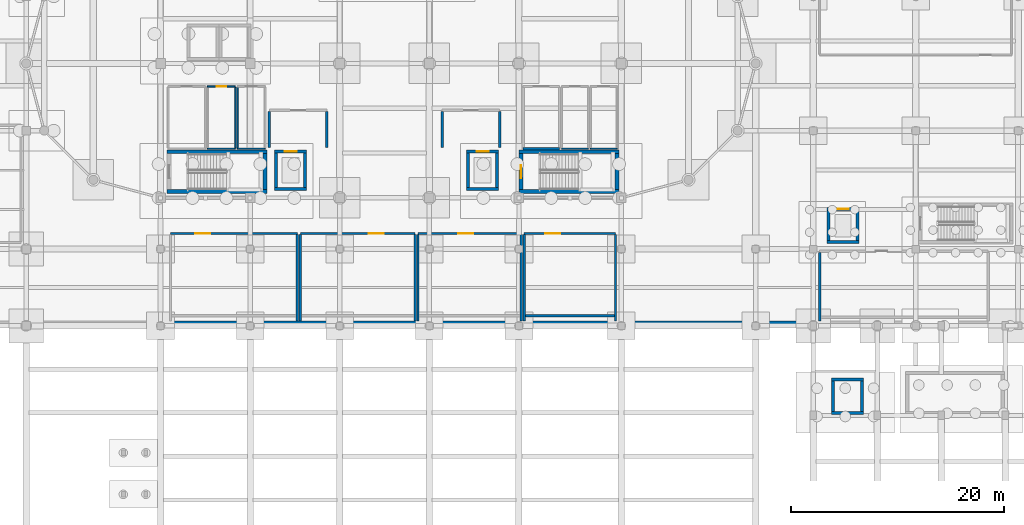
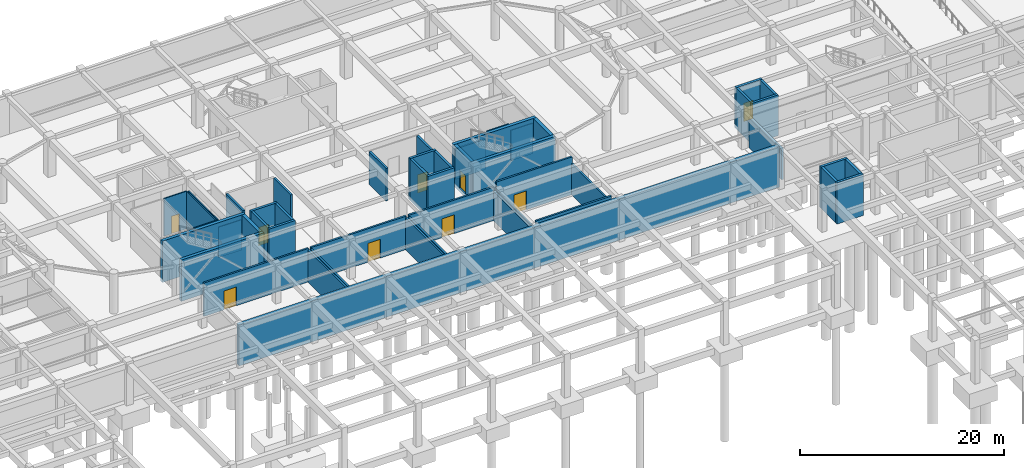
# One storey, part 23 of 37: 49 walls, 9 doors, 9 openings.
"""IFC4 building model written with IfcOpenShell, lengths in metres."""

from ifc_helpers import new_model, si_unit, direction, frame, frame_2d, origin, place, context, subcontext, project, spatial, rectangle, extrude, material, layer, layer_set, type_object, element, fill, save


model = new_model("IFC4")

# Units and contexts
model_context = context("Model", 3, precision=1e-05, world=origin(), true_north=direction((0.0, 1.0)))
body_context = subcontext(model_context, "Body", "Model", "MODEL_VIEW")
ifc_project = project(units=[si_unit("LENGTHUNIT", "METRE"), si_unit("AREAUNIT", "SQUARE_METRE"), si_unit("VOLUMEUNIT", "CUBIC_METRE"), si_unit("PLANEANGLEUNIT", "RADIAN"), si_unit("MASSUNIT", "GRAM", prefix="KILO")], contexts=[model_context])

# Site, building, storey
site_placement = place(None, origin())
site = spatial("IfcSite", under=ifc_project, at=site_placement, CompositionType="ELEMENT")
building_placement = place(site_placement, origin())
building = spatial("IfcBuilding", under=site, at=building_placement, Name="Tarnavel Promenade Courthouse", CompositionType="ELEMENT")
storey_placement = place(building_placement, frame((0.0, 0.0, -4.800048828125)))
storey = spatial("IfcBuildingStorey", under=building, at=storey_placement, Name="B01", CompositionType="ELEMENT", Elevation=-4.800048828125)

# Wall
ifc_material_1 = material(Name="Concrete C35/45", Category="concrete")
ifc_layer_1 = layer(ifc_material_1, 0.449951171875)
ifc_layer_set_1 = layer_set([ifc_layer_1], Name="Concrete C35/45")
wall_type_1 = type_object("IfcWallType", Name="Concrete C35/45 WL-RET-450 (450 mm)", PredefinedType="SOLIDWALL", material=ifc_layer_set_1)
wall_1_placement = place(storey_placement, frame((120.0, 67.449951171875, -0.419921875), z_axis=(0.0, 0.0, 1.0), x_axis=(-1.0, 0.0, 0.0)))
element("IfcWall", 1, at=wall_1_placement, inside=storey, type_object=wall_type_1, Name="B01 South Perimeter Retaining Wall 0004", PredefinedType="SOLIDWALL", context=body_context, shape_type="SweptSolid", body=[
    extrude(rectangle(XDim=61.199951171875, YDim=0.449951171875, at=frame_2d((30.60009765625, 0.0))), origin(), (0.0, 0.0, 1.0), 4.869873046875),
])

# Wall, opening, door
ifc_material_2 = material(Name="Concrete C40/50", Category="concrete")
ifc_layer_2 = layer(ifc_material_2, 0.280029296875)
ifc_layer_set_2 = layer_set([ifc_layer_2], Name="Concrete C40/50")
wall_type_2 = type_object("IfcWallType", Name="Concrete C40/50 WL-SHR-280 (280 mm)", PredefinedType="SHEAR", material=ifc_layer_set_2)
wall_2_placement = place(storey_placement, frame((69.5, 83.56005859375, -0.419921875), z_axis=(0.0, 0.0, 1.0), x_axis=(1.0, 0.0, 0.0)))
wall_2 = element("IfcWall", 2, at=wall_2_placement, inside=storey, type_object=wall_type_2, Name="B01 L-FF1 Lift Shaft North Wall", PredefinedType="SHEAR", context=body_context, shape_type="SweptSolid", body=[
    extrude(rectangle(XDim=3.0, YDim=0.280029296875, at=frame_2d((1.5, 0.0))), origin(), (0.0, 0.0, 1.0), 4.93994140625),
])
opening_1_placement = place(wall_2_placement, frame((0.949951171875, 0.0, 0.419921875)))
opening_1 = element("IfcOpeningElement", 3, at=opening_1_placement, cuts=wall_2, Name="Opening LD-01", PredefinedType="OPENING", context=body_context, shape_type="SweptSolid", body=[
    extrude(rectangle(XDim=1.10009765625, YDim=2.199951171875, at=frame_2d((0.550048828125, 1.10009765625))), frame((0.0, 0.14990234375, 0.0), z_axis=(0.0, -1.0, 0.0), x_axis=(1.0, 0.0, 0.0)), (0.0, 0.0, 1.0), 0.300048828125),
])
ifc_material_3 = material(Name="Stainless Steel Firefighting Lift Landing Sliding Door", Category="steel")
door_type_1 = type_object("IfcDoorType", Name="Stainless Steel Firefighting Lift Landing Sliding Door (LD-FF-1100x2200)", OperationType="NOTDEFINED", PredefinedType="DOOR", material=ifc_material_3)
door_1_placement = place(opening_1_placement, origin())
door_1 = element("IfcDoor", 4, at=door_1_placement, inside=storey, type_object=door_type_1, Name="B01 L-FF1 Lift Sliding Landing Door", OperationType="DOUBLE_DOOR_SLIDING", OverallHeight=2.199951171875, OverallWidth=1.10009765625, PredefinedType="DOOR", context=body_context, shape_type="SweptSolid", body=[
    extrude(rectangle(XDim=1.10009765625, YDim=2.199951171875, at=frame_2d((0.550048828125, 1.10009765625))), frame((0.0, 0.02490234375, 0.0), z_axis=(0.0, -1.0, 0.0), x_axis=(1.0, 0.0, 0.0)), (0.0, 0.0, 1.0), 0.050048828125),
])
fill(opening_1, door_1)

# Walls
wall_3_placement = place(storey_placement, frame((72.5, 80.0400390625, -0.419921875), z_axis=(0.0, 0.0, 1.0), x_axis=(-1.0, 0.0, 0.0)))
element("IfcWall", 5, at=wall_3_placement, inside=storey, type_object=wall_type_2, Name="B01 L-FF1 Lift Shaft South Wall", PredefinedType="SHEAR", context=body_context, shape_type="SweptSolid", body=[
    extrude(rectangle(XDim=3.0, YDim=0.280029296875, at=frame_2d((1.5, 0.0))), origin(), (0.0, 0.0, 1.0), 4.93994140625),
])
for number, where, z_axis, x_axis, name in (
    (6, (69.639892578125, 80.179931640625, -0.419921875), (0.0, 0.0, 1.0), (0.0, 1.0, 0.0), "B01 L-FF1 Lift Shaft West Wall"),
    (7, (72.360107421875, 83.419921875, -0.419921875), (0.0, 0.0, 1.0), (0.0, -1.0, 0.0), "B01 L-FF1 Lift Shaft East Wall"),
):
    element("IfcWall", number, at=place(storey_placement, frame(where, z_axis=z_axis, x_axis=x_axis)), inside=storey, type_object=wall_type_2, Name=name, PredefinedType="SHEAR", context=body_context, shape_type="SweptSolid", body=[
        extrude(rectangle(XDim=3.239990234375, YDim=0.280029296875, at=frame_2d((1.6201171875, 0.0))), origin(), (0.0, 0.0, 1.0), 4.93994140625),
    ])

# Wall, opening, door
wall_4_placement = place(storey_placement, frame((87.5, 83.56005859375, -0.419921875), z_axis=(0.0, 0.0, 1.0), x_axis=(1.0, 0.0, 0.0)))
wall_4 = element("IfcWall", 8, at=wall_4_placement, inside=storey, type_object=wall_type_2, Name="B01 L-FF2 Lift Shaft North Wall", PredefinedType="SHEAR", context=body_context, shape_type="SweptSolid", body=[
    extrude(rectangle(XDim=3.0, YDim=0.280029296875, at=frame_2d((1.5, 0.0))), origin(), (0.0, 0.0, 1.0), 4.93994140625),
])
opening_2_placement = place(wall_4_placement, frame((0.949951171875, 0.0, 0.419921875)))
opening_2 = element("IfcOpeningElement", 9, at=opening_2_placement, cuts=wall_4, Name="Opening LD-01", PredefinedType="OPENING", context=body_context, shape_type="SweptSolid", body=[
    extrude(rectangle(XDim=1.10009765625, YDim=2.199951171875, at=frame_2d((0.550048828125, 1.10009765625))), frame((0.0, 0.14990234375, 0.0), z_axis=(0.0, -1.0, 0.0), x_axis=(1.0, 0.0, 0.0)), (0.0, 0.0, 1.0), 0.300048828125),
])
door_2_placement = place(opening_2_placement, origin())
door_2 = element("IfcDoor", 10, at=door_2_placement, inside=storey, type_object=door_type_1, Name="B01 L-FF2 Lift Sliding Landing Door", OperationType="DOUBLE_DOOR_SLIDING", OverallHeight=2.199951171875, OverallWidth=1.10009765625, PredefinedType="DOOR", context=body_context, shape_type="SweptSolid", body=[
    extrude(rectangle(XDim=1.10009765625, YDim=2.199951171875, at=frame_2d((0.550048828125, 1.10009765625))), frame((0.0, 0.02490234375, 0.0), z_axis=(0.0, -1.0, 0.0), x_axis=(1.0, 0.0, 0.0)), (0.0, 0.0, 1.0), 0.050048828125),
])
fill(opening_2, door_2)

# Walls
wall_5_placement = place(storey_placement, frame((90.5, 80.0400390625, -0.419921875), z_axis=(0.0, 0.0, 1.0), x_axis=(-1.0, 0.0, 0.0)))
element("IfcWall", 11, at=wall_5_placement, inside=storey, type_object=wall_type_2, Name="B01 L-FF2 Lift Shaft South Wall", PredefinedType="SHEAR", context=body_context, shape_type="SweptSolid", body=[
    extrude(rectangle(XDim=3.0, YDim=0.280029296875, at=frame_2d((1.5, 0.0))), origin(), (0.0, 0.0, 1.0), 4.93994140625),
])
for number, where, z_axis, x_axis, name in (
    (12, (87.639892578125, 80.179931640625, -0.419921875), (0.0, 0.0, 1.0), (0.0, 1.0, 0.0), "B01 L-FF2 Lift Shaft West Wall"),
    (13, (90.360107421875, 83.419921875, -0.419921875), (0.0, 0.0, 1.0), (0.0, -1.0, 0.0), "B01 L-FF2 Lift Shaft East Wall"),
):
    element("IfcWall", number, at=place(storey_placement, frame(where, z_axis=z_axis, x_axis=x_axis)), inside=storey, type_object=wall_type_2, Name=name, PredefinedType="SHEAR", context=body_context, shape_type="SweptSolid", body=[
        extrude(rectangle(XDim=3.239990234375, YDim=0.280029296875, at=frame_2d((1.6201171875, 0.0))), origin(), (0.0, 0.0, 1.0), 4.93994140625),
    ])
for number, where, z_axis, x_axis, name in (
    (14, (121.699951171875, 62.159912109375, -0.419921875), (0.0, 0.0, 1.0), (1.0, 0.0, 0.0), "B01 L-PUB4 Lift Shaft North Wall"),
    (15, (124.699951171875, 59.0400390625, -0.419921875), (0.0, 0.0, 1.0), (-1.0, 0.0, 0.0), "B01 L-PUB4 Lift Shaft South Wall"),
):
    element("IfcWall", number, at=place(storey_placement, frame(where, z_axis=z_axis, x_axis=x_axis)), inside=storey, type_object=wall_type_2, Name=name, PredefinedType="SHEAR", context=body_context, shape_type="SweptSolid", body=[
        extrude(rectangle(XDim=3.0, YDim=0.280029296875, at=frame_2d((1.5, 0.0))), origin(), (0.0, 0.0, 1.0), 4.93994140625),
    ])
for number, where, z_axis, x_axis, name in (
    (16, (121.840087890625, 59.179931640625, -0.419921875), (0.0, 0.0, 1.0), (0.0, 1.0, 0.0), "B01 L-PUB4 Lift Shaft West Wall"),
    (17, (124.56005859375, 62.02001953125, -0.419921875), (0.0, 0.0, 1.0), (0.0, -1.0, 0.0), "B01 L-PUB4 Lift Shaft East Wall"),
):
    element("IfcWall", number, at=place(storey_placement, frame(where, z_axis=z_axis, x_axis=x_axis)), inside=storey, type_object=wall_type_2, Name=name, PredefinedType="SHEAR", context=body_context, shape_type="SweptSolid", body=[
        extrude(rectangle(XDim=2.840087890625, YDim=0.280029296875, at=frame_2d((1.419921875, 0.0))), origin(), (0.0, 0.0, 1.0), 4.93994140625),
    ])

# Wall, opening, door
wall_6_placement = place(storey_placement, frame((121.300048828125, 78.159912109375, -0.419921875), z_axis=(0.0, 0.0, 1.0), x_axis=(1.0, 0.0, 0.0)))
wall_6 = element("IfcWall", 18, at=wall_6_placement, inside=storey, type_object=wall_type_2, Name="B01 L-CUS1 Lift Shaft North Wall", PredefinedType="SHEAR", context=body_context, shape_type="SweptSolid", body=[
    extrude(rectangle(XDim=3.0, YDim=0.280029296875, at=frame_2d((1.5, 0.0))), origin(), (0.0, 0.0, 1.0), 4.875),
])
opening_3_placement = place(wall_6_placement, frame((0.97509765625, 0.0, 0.419921875)))
opening_3 = element("IfcOpeningElement", 19, at=opening_3_placement, cuts=wall_6, Name="Opening LD-02", PredefinedType="OPENING", context=body_context, shape_type="SweptSolid", body=[
    extrude(rectangle(XDim=1.050048828125, YDim=2.199951171875, at=frame_2d((0.52490234375, 1.10009765625))), frame((0.0, 0.14990234375, 0.0), z_axis=(0.0, -1.0, 0.0), x_axis=(1.0, 0.0, 0.0)), (0.0, 0.0, 1.0), 0.300048828125),
])
ifc_material_4 = material(Name="Brushed Bronze Passenger Lift Landing Sliding Door")
door_type_2 = type_object("IfcDoorType", Name="Brushed Bronze Passenger Lift Landing Sliding Door (LD-PUB-1050x2200)", OperationType="NOTDEFINED", PredefinedType="DOOR", material=ifc_material_4)
door_3_placement = place(opening_3_placement, origin())
door_3 = element("IfcDoor", 20, at=door_3_placement, inside=storey, type_object=door_type_2, Name="B01 L-CUS1 Lift Sliding Landing Door", OperationType="DOUBLE_DOOR_SLIDING", OverallHeight=2.199951171875, OverallWidth=1.050048828125, PredefinedType="DOOR", context=body_context, shape_type="SweptSolid", body=[
    extrude(rectangle(XDim=1.050048828125, YDim=2.199951171875, at=frame_2d((0.52490234375, 1.10009765625))), frame((0.0, 0.02490234375, 0.0), z_axis=(0.0, -1.0, 0.0), x_axis=(1.0, 0.0, 0.0)), (0.0, 0.0, 1.0), 0.050048828125),
])
fill(opening_3, door_3)

# Walls
wall_7_placement = place(storey_placement, frame((124.300048828125, 75.0400390625, -0.419921875), z_axis=(0.0, 0.0, 1.0), x_axis=(-1.0, 0.0, 0.0)))
element("IfcWall", 21, at=wall_7_placement, inside=storey, type_object=wall_type_2, Name="B01 L-CUS1 Lift Shaft South Wall", PredefinedType="SHEAR", context=body_context, shape_type="SweptSolid", body=[
    extrude(rectangle(XDim=3.0, YDim=0.280029296875, at=frame_2d((1.5, 0.0))), origin(), (0.0, 0.0, 1.0), 4.875),
])
for number, where, z_axis, x_axis, name in (
    (22, (121.43994140625, 75.179931640625, -0.419921875), (0.0, 0.0, 1.0), (0.0, 1.0, 0.0), "B01 L-CUS1 Lift Shaft West Wall"),
    (23, (124.159912109375, 78.02001953125, -0.419921875), (0.0, 0.0, 1.0), (0.0, -1.0, 0.0), "B01 L-CUS1 Lift Shaft East Wall"),
):
    element("IfcWall", number, at=place(storey_placement, frame(where, z_axis=z_axis, x_axis=x_axis)), inside=storey, type_object=wall_type_2, Name=name, PredefinedType="SHEAR", context=body_context, shape_type="SweptSolid", body=[
        extrude(rectangle(XDim=2.840087890625, YDim=0.280029296875, at=frame_2d((1.419921875, 0.0))), origin(), (0.0, 0.0, 1.0), 4.875),
    ])
ifc_layer_3 = layer(ifc_material_2, 0.360107421875)
ifc_layer_set_3 = layer_set([ifc_layer_3], Name="Concrete C40/50")
wall_type_3 = type_object("IfcWallType", Name="Concrete C40/50 WL-SHR-360 (360 mm)", PredefinedType="SHEAR", material=ifc_layer_set_3)
for number, where, z_axis, x_axis, name in (
    (24, (59.419921875, 83.52001953125, -0.419921875), (0.0, 0.0, 1.0), (1.0, 0.0, 0.0), "B01 ST-01 Shear Core North Wall"),
    (25, (68.780029296875, 79.800048828125, -0.419921875), (0.0, 0.0, 1.0), (-1.0, 0.0, 0.0), "B01 ST-01 Shear Core South Wall"),
):
    element("IfcWall", number, at=place(storey_placement, frame(where, z_axis=z_axis, x_axis=x_axis)), inside=storey, type_object=wall_type_3, Name=name, PredefinedType="SHEAR", context=body_context, shape_type="SweptSolid", body=[
        extrude(rectangle(XDim=9.360107421875, YDim=0.360107421875, at=frame_2d((4.68017578125, 0.0))), origin(), (0.0, 0.0, 1.0), 4.93994140625),
    ])
wall_8_placement = place(storey_placement, frame((68.60009765625, 83.340087890625, -0.419921875), z_axis=(0.0, 0.0, 1.0), x_axis=(0.0, -1.0, 0.0)))
element("IfcWall", 26, at=wall_8_placement, inside=storey, type_object=wall_type_3, Name="B01 ST-01 Shear Core East Wall", PredefinedType="SHEAR", context=body_context, shape_type="SweptSolid", body=[
    extrude(rectangle(XDim=3.360107421875, YDim=0.360107421875, at=frame_2d((1.68017578125, 0.0))), origin(), (0.0, 0.0, 1.0), 4.93994140625),
])
for number, where, z_axis, x_axis, name in (
    (27, (92.419921875, 83.52001953125, -0.419921875), (0.0, 0.0, 1.0), (1.0, 0.0, 0.0), "B01 ST-02 Shear Core North Wall"),
    (28, (101.780029296875, 79.800048828125, -0.419921875), (0.0, 0.0, 1.0), (-1.0, 0.0, 0.0), "B01 ST-02 Shear Core South Wall"),
):
    element("IfcWall", number, at=place(storey_placement, frame(where, z_axis=z_axis, x_axis=x_axis)), inside=storey, type_object=wall_type_3, Name=name, PredefinedType="SHEAR", context=body_context, shape_type="SweptSolid", body=[
        extrude(rectangle(XDim=9.360107421875, YDim=0.360107421875, at=frame_2d((4.68017578125, 0.0))), origin(), (0.0, 0.0, 1.0), 4.93994140625),
    ])

# Wall, opening, door
wall_9_placement = place(storey_placement, frame((92.60009765625, 79.97998046875, -0.419921875), z_axis=(0.0, 0.0, 1.0), x_axis=(0.0, 1.0, 0.0)))
wall_9 = element("IfcWall", 29, at=wall_9_placement, inside=storey, type_object=wall_type_3, Name="B01 ST-02 Shear Core West Landing Wall", PredefinedType="SHEAR", context=body_context, shape_type="SweptSolid", body=[
    extrude(rectangle(XDim=3.360107421875, YDim=0.360107421875, at=frame_2d((1.68017578125, 0.0))), origin(), (0.0, 0.0, 1.0), 4.93994140625),
])
opening_4_placement = place(wall_9_placement, frame((1.080078125, 0.0, 0.419921875)))
opening_4 = element("IfcOpeningElement", 30, at=opening_4_placement, cuts=wall_9, Name="Opening FD-02", PredefinedType="OPENING", context=body_context, shape_type="SweptSolid", body=[
    extrude(rectangle(XDim=1.199951171875, YDim=2.199951171875, at=frame_2d((0.60009765625, 1.10009765625))), frame((0.0, 0.18994140625, 0.0), z_axis=(0.0, -1.0, 0.0), x_axis=(1.0, 0.0, 0.0)), (0.0, 0.0, 1.0), 0.380126953125),
])
ifc_material_5 = material(Name="Steel Fire-Rated Firefighting Stair Door", Category="steel")
door_type_3 = type_object("IfcDoorType", Name="Steel Fire-Rated Firefighting Stair Door (DR-ST-1200x2200)", OperationType="NOTDEFINED", PredefinedType="DOOR", material=ifc_material_5)
door_4_placement = place(opening_4_placement, origin())
door_4 = element("IfcDoor", 31, at=door_4_placement, inside=storey, type_object=door_type_3, Name="B01 ST-02 Protected Exit Stair Door", OperationType="SINGLE_SWING_RIGHT", OverallHeight=2.199951171875, OverallWidth=1.199951171875, PredefinedType="DOOR", context=body_context, shape_type="SweptSolid", body=[
    extrude(rectangle(XDim=1.199951171875, YDim=2.199951171875, at=frame_2d((0.60009765625, 1.10009765625))), frame((0.0, 0.02490234375, 0.0), z_axis=(0.0, -1.0, 0.0), x_axis=(1.0, 0.0, 0.0)), (0.0, 0.0, 1.0), 0.050048828125),
])
fill(opening_4, door_4)

# Walls
wall_10_placement = place(storey_placement, frame((101.60009765625, 83.340087890625, -0.419921875), z_axis=(0.0, 0.0, 1.0), x_axis=(0.0, -1.0, 0.0)))
element("IfcWall", 32, at=wall_10_placement, inside=storey, type_object=wall_type_3, Name="B01 ST-02 Shear Core East Wall", PredefinedType="SHEAR", context=body_context, shape_type="SweptSolid", body=[
    extrude(rectangle(XDim=3.360107421875, YDim=0.360107421875, at=frame_2d((1.68017578125, 0.0))), origin(), (0.0, 0.0, 1.0), 4.93994140625),
])
ifc_material_6 = material(Name="Concrete Masonry Fire Compartment Wall", Category="masonry")
ifc_layer_4 = layer(ifc_material_6, 0.205078125)
ifc_layer_set_4 = layer_set([ifc_layer_4], Name="Concrete Masonry Fire Compartment Wall")
wall_type_4 = type_object("IfcWallType", Name="Concrete Masonry Fire Compartment Wall WL-CMP-205 (205 mm)", PredefinedType="STANDARD", material=ifc_layer_set_4)
wall_11_placement = place(storey_placement, frame((96.199951171875, 83.800048828125, 0.0), z_axis=(0.0, 0.0, 1.0), x_axis=(-1.0, 0.0, 0.0)))
element("IfcWall", 33, at=wall_11_placement, inside=storey, type_object=wall_type_4, Name="B01 B01 Court Transcript Records Room Partition 0028", PredefinedType="STANDARD", context=body_context, shape_type="SweptSolid", body=[
    extrude(rectangle(XDim=3.39990234375, YDim=0.205078125, at=frame_2d((1.699951171875, 0.0))), origin(), (0.0, 0.0, 1.0), 3.650146484375),
])

# Wall, opening, door
wall_12_placement = place(storey_placement, frame((59.739990234375, 75.860107421875, 0.0), z_axis=(0.0, 0.0, 1.0), x_axis=(1.0, 0.0, 0.0)))
wall_12 = element("IfcWall", 34, at=wall_12_placement, inside=storey, type_object=wall_type_4, Name="B01 Chiller and District Heating Substation Plant Room Partition 0057", PredefinedType="STANDARD", context=body_context, shape_type="SweptSolid", body=[
    extrude(rectangle(XDim=11.8779296875, YDim=0.205078125, at=frame_2d((5.93896484375, 0.0))), origin(), (0.0, 0.0, 1.0), 4.0),
])
opening_5_placement = place(wall_12_placement, frame((2.3056640625, 0.0, 0.0)))
opening_5 = element("IfcOpeningElement", 35, at=opening_5_placement, cuts=wall_12, Name="Opening FD-04", PredefinedType="OPENING", context=body_context, shape_type="SweptSolid", body=[
    extrude(rectangle(XDim=1.39990234375, YDim=2.25, at=frame_2d((0.699951171875, 1.125))), frame((0.0, 0.112548828125, 0.0), z_axis=(0.0, -1.0, 0.0), x_axis=(1.0, 0.0, 0.0)), (0.0, 0.0, 1.0), 0.22509765625),
])
ifc_material_7 = material(Name="Heavy Steel Plant Room Fire Door", Category="steel")
door_type_4 = type_object("IfcDoorType", Name="Heavy Steel Plant Room Fire Door (DR-PLT-1400x2250)", OperationType="NOTDEFINED", PredefinedType="DOOR", material=ifc_material_7)
door_5_placement = place(opening_5_placement, origin())
door_5 = element("IfcDoor", 36, at=door_5_placement, inside=storey, type_object=door_type_4, Name="B01 Chiller and District Heating Substation Plant Room Door 0017", OperationType="SINGLE_SWING_LEFT", OverallHeight=2.25, OverallWidth=1.39990234375, PredefinedType="DOOR", context=body_context, shape_type="SweptSolid", body=[
    extrude(rectangle(XDim=1.39990234375, YDim=2.25, at=frame_2d((0.699951171875, 1.125))), frame((0.0, 0.02490234375, 0.0), z_axis=(0.0, -1.0, 0.0), x_axis=(1.0, 0.0, 0.0)), (0.0, 0.0, 1.0), 0.050048828125),
])
fill(opening_5, door_5)

# Wall
wall_13_placement = place(storey_placement, frame((71.617919921875, 75.74755859375, 0.0), z_axis=(0.0, 0.0, 1.0), x_axis=(0.0, -1.0, 0.0)))
element("IfcWall", 37, at=wall_13_placement, inside=storey, type_object=wall_type_4, Name="B01 Chiller and District Heating Substation Plant Room Partition 0060", PredefinedType="STANDARD", context=body_context, shape_type="SweptSolid", body=[
    extrude(rectangle(XDim=8.07861328125, YDim=0.205078125, at=frame_2d((4.039306640625, 0.0))), origin(), (0.0, 0.0, 1.0), 3.85009765625),
])

# Wall, opening, door
wall_14_placement = place(storey_placement, frame((71.89794921875, 75.860107421875, 0.0), z_axis=(0.0, 0.0, 1.0), x_axis=(1.0, 0.0, 0.0)))
wall_14 = element("IfcWall", 38, at=wall_14_placement, inside=storey, type_object=wall_type_4, Name="B01 Emergency Generator Hall Partition 0061", PredefinedType="STANDARD", context=body_context, shape_type="SweptSolid", body=[
    extrude(rectangle(XDim=10.77294921875, YDim=0.205078125, at=frame_2d((5.386474609375, 0.0))), origin(), (0.0, 0.0, 1.0), 4.0),
])
opening_6_placement = place(wall_14_placement, frame((6.421142578125, 0.0, 0.0)))
opening_6 = element("IfcOpeningElement", 39, at=opening_6_placement, cuts=wall_14, Name="Opening FD-04", PredefinedType="OPENING", context=body_context, shape_type="SweptSolid", body=[
    extrude(rectangle(XDim=1.39990234375, YDim=2.25, at=frame_2d((0.699951171875, 1.125))), frame((0.0, 0.112548828125, 0.0), z_axis=(0.0, -1.0, 0.0), x_axis=(1.0, 0.0, 0.0)), (0.0, 0.0, 1.0), 0.22509765625),
])
door_6_placement = place(opening_6_placement, origin())
door_6 = element("IfcDoor", 40, at=door_6_placement, inside=storey, type_object=door_type_4, Name="B01 Emergency Generator Hall Door 0018", OperationType="SINGLE_SWING_RIGHT", OverallHeight=2.25, OverallWidth=1.39990234375, PredefinedType="DOOR", context=body_context, shape_type="SweptSolid", body=[
    extrude(rectangle(XDim=1.39990234375, YDim=2.25, at=frame_2d((0.699951171875, 1.125))), frame((0.0, 0.02490234375, 0.0), z_axis=(0.0, -1.0, 0.0), x_axis=(1.0, 0.0, 0.0)), (0.0, 0.0, 1.0), 0.050048828125),
])
fill(opening_6, door_6)

# Walls
for number, where, z_axis, x_axis, name in (
    (41, (71.89794921875, 67.6689453125, 0.0), (0.0, 0.0, 1.0), (0.0, 1.0, 0.0), "B01 Emergency Generator Hall Partition 0063"),
    (42, (82.6708984375, 75.74755859375, 0.0), (0.0, 0.0, 1.0), (0.0, -1.0, 0.0), "B01 Emergency Generator Hall Partition 0064"),
):
    element("IfcWall", number, at=place(storey_placement, frame(where, z_axis=z_axis, x_axis=x_axis)), inside=storey, type_object=wall_type_4, Name=name, PredefinedType="STANDARD", context=body_context, shape_type="SweptSolid", body=[
        extrude(rectangle(XDim=8.07861328125, YDim=0.205078125, at=frame_2d((4.039306640625, 0.0))), origin(), (0.0, 0.0, 1.0), 3.85009765625),
    ])

# Wall, opening, door
wall_15_placement = place(storey_placement, frame((82.950927734375, 75.860107421875, 0.0), z_axis=(0.0, 0.0, 1.0), x_axis=(1.0, 0.0, 0.0)))
wall_15 = element("IfcWall", 43, at=wall_15_placement, inside=storey, type_object=wall_type_4, Name="B01 Electrical Transformer Substation Room Partition 0065", PredefinedType="STANDARD", context=body_context, shape_type="SweptSolid", body=[
    extrude(rectangle(XDim=9.6669921875, YDim=0.205078125, at=frame_2d((4.83349609375, 0.0))), origin(), (0.0, 0.0, 1.0), 4.0),
])
opening_7_placement = place(wall_15_placement, frame((3.755126953125, 0.0, 0.0)))
opening_7 = element("IfcOpeningElement", 44, at=opening_7_placement, cuts=wall_15, Name="Opening FD-04", PredefinedType="OPENING", context=body_context, shape_type="SweptSolid", body=[
    extrude(rectangle(XDim=1.39990234375, YDim=2.25, at=frame_2d((0.699951171875, 1.125))), frame((0.0, 0.112548828125, 0.0), z_axis=(0.0, -1.0, 0.0), x_axis=(1.0, 0.0, 0.0)), (0.0, 0.0, 1.0), 0.22509765625),
])
door_7_placement = place(opening_7_placement, origin())
door_7 = element("IfcDoor", 45, at=door_7_placement, inside=storey, type_object=door_type_4, Name="B01 Electrical Transformer Substation Room Door 0019", OperationType="SINGLE_SWING_LEFT", OverallHeight=2.25, OverallWidth=1.39990234375, PredefinedType="DOOR", context=body_context, shape_type="SweptSolid", body=[
    extrude(rectangle(XDim=1.39990234375, YDim=2.25, at=frame_2d((0.699951171875, 1.125))), frame((0.0, 0.02490234375, 0.0), z_axis=(0.0, -1.0, 0.0), x_axis=(1.0, 0.0, 0.0)), (0.0, 0.0, 1.0), 0.050048828125),
])
fill(opening_7, door_7)

# Walls
wall_16_placement = place(storey_placement, frame((82.950927734375, 67.6689453125, 0.0), z_axis=(0.0, 0.0, 1.0), x_axis=(0.0, 1.0, 0.0)))
element("IfcWall", 46, at=wall_16_placement, inside=storey, type_object=wall_type_4, Name="B01 Electrical Transformer Substation Room Partition 0067", PredefinedType="STANDARD", context=body_context, shape_type="SweptSolid", body=[
    extrude(rectangle(XDim=8.07861328125, YDim=0.205078125, at=frame_2d((4.039306640625, 0.0))), origin(), (0.0, 0.0, 1.0), 3.85009765625),
])
wall_17_placement = place(storey_placement, frame((92.617919921875, 75.74755859375, 0.0), z_axis=(0.0, 0.0, 1.0), x_axis=(0.0, -1.0, 0.0)))
element("IfcWall", 47, at=wall_17_placement, inside=storey, type_object=wall_type_4, Name="B01 Electrical Transformer Substation Room Partition 0068", PredefinedType="STANDARD", context=body_context, shape_type="SweptSolid", body=[
    extrude(rectangle(XDim=8.07861328125, YDim=0.205078125, at=frame_2d((4.039306640625, 0.0))), origin(), (0.0, 0.0, 1.0), 3.550048828125),
])

# Wall, opening, door
wall_18_placement = place(storey_placement, frame((92.89794921875, 75.860107421875, 0.0), z_axis=(0.0, 0.0, 1.0), x_axis=(1.0, 0.0, 0.0)))
wall_18 = element("IfcWall", 48, at=wall_18_placement, inside=storey, type_object=wall_type_4, Name="B01 Fire Pump and Sprinkler Tank Room Partition 0069", PredefinedType="STANDARD", context=body_context, shape_type="SweptSolid", body=[
    extrude(rectangle(XDim=8.56201171875, YDim=0.205078125, at=frame_2d((4.281005859375, 0.0))), origin(), (0.0, 0.0, 1.0), 4.505126953125),
])
opening_8_placement = place(wall_18_placement, frame((1.965576171875, 0.0, 0.0)))
opening_8 = element("IfcOpeningElement", 49, at=opening_8_placement, cuts=wall_18, Name="Opening FD-04", PredefinedType="OPENING", context=body_context, shape_type="SweptSolid", body=[
    extrude(rectangle(XDim=1.39990234375, YDim=2.25, at=frame_2d((0.699951171875, 1.125))), frame((0.0, 0.112548828125, 0.0), z_axis=(0.0, -1.0, 0.0), x_axis=(1.0, 0.0, 0.0)), (0.0, 0.0, 1.0), 0.22509765625),
])
door_8_placement = place(opening_8_placement, origin())
door_8 = element("IfcDoor", 50, at=door_8_placement, inside=storey, type_object=door_type_4, Name="B01 Fire Pump and Sprinkler Tank Room Door 0020", OperationType="SINGLE_SWING_RIGHT", OverallHeight=2.25, OverallWidth=1.39990234375, PredefinedType="DOOR", context=body_context, shape_type="SweptSolid", body=[
    extrude(rectangle(XDim=1.39990234375, YDim=2.25, at=frame_2d((0.699951171875, 1.125))), frame((0.0, 0.02490234375, 0.0), z_axis=(0.0, -1.0, 0.0), x_axis=(1.0, 0.0, 0.0)), (0.0, 0.0, 1.0), 0.050048828125),
])
fill(opening_8, door_8)

# Walls
wall_19_placement = place(storey_placement, frame((101.4599609375, 68.139892578125, 0.0), z_axis=(0.0, 0.0, 1.0), x_axis=(-1.0, 0.0, 0.0)))
element("IfcWall", 51, at=wall_19_placement, inside=storey, type_object=wall_type_4, Name="B01 Fire Pump and Sprinkler Tank Room Partition 0070", PredefinedType="STANDARD", context=body_context, shape_type="SweptSolid", body=[
    extrude(rectangle(XDim=8.56201171875, YDim=0.205078125, at=frame_2d((4.281005859375, 0.0))), origin(), (0.0, 0.0, 1.0), 4.505126953125),
])
wall_20_placement = place(storey_placement, frame((92.89794921875, 67.6689453125, 0.0), z_axis=(0.0, 0.0, 1.0), x_axis=(0.0, 1.0, 0.0)))
element("IfcWall", 52, at=wall_20_placement, inside=storey, type_object=wall_type_4, Name="B01 Fire Pump and Sprinkler Tank Room Partition 0071", PredefinedType="STANDARD", context=body_context, shape_type="SweptSolid", body=[
    extrude(rectangle(XDim=8.07861328125, YDim=0.205078125, at=frame_2d((4.039306640625, 0.0))), origin(), (0.0, 0.0, 1.0), 3.550048828125),
])
wall_21_placement = place(storey_placement, frame((101.4599609375, 75.74755859375, 0.0), z_axis=(0.0, 0.0, 1.0), x_axis=(0.0, -1.0, 0.0)))
element("IfcWall", 53, at=wall_21_placement, inside=storey, type_object=wall_type_4, Name="B01 Fire Pump and Sprinkler Tank Room Partition 0072", PredefinedType="STANDARD", context=body_context, shape_type="SweptSolid", body=[
    extrude(rectangle(XDim=8.07861328125, YDim=0.205078125, at=frame_2d((4.039306640625, 0.0))), origin(), (0.0, 0.0, 1.0), 3.75),
])
ifc_layer_5 = layer(ifc_material_6, 0.22998046875)
ifc_layer_set_5 = layer_set([ifc_layer_5], Name="Concrete Masonry Fire Compartment Wall")
wall_type_5 = type_object("IfcWallType", Name="Concrete Masonry Fire Compartment Wall WL-CMP-230 (230 mm)", PredefinedType="STANDARD", material=ifc_layer_set_5)
for number, where, z_axis, x_axis, name in (
    (54, (69.0, 83.925048828125, 0.0), (0.0, 0.0, 1.0), (0.0, 1.0, 0.0), "B01 Firefighting Lobby L-FF1 Partition 0002"),
    (55, (74.39990234375, 87.27490234375, 0.0), (0.0, 0.0, 1.0), (0.0, -1.0, 0.0), "B01 Firefighting Lobby L-FF1 Partition 0003"),
):
    element("IfcWall", number, at=place(storey_placement, frame(where, z_axis=z_axis, x_axis=x_axis)), inside=storey, type_object=wall_type_5, Name=name, PredefinedType="STANDARD", context=body_context, shape_type="SweptSolid", body=[
        extrude(rectangle(XDim=3.349853515625, YDim=0.22998046875, at=frame_2d((1.6748046875, 0.0))), origin(), (0.0, 0.0, 1.0), 4.505126953125),
    ])
for number, where, z_axis, x_axis, name in (
    (56, (85.199951171875, 83.925048828125, 0.0), (0.0, 0.0, 1.0), (0.0, 1.0, 0.0), "B01 Firefighting Lobby L-FF2 Partition 0005"),
    (57, (90.60009765625, 87.27490234375, 0.0), (0.0, 0.0, 1.0), (0.0, -1.0, 0.0), "B01 Firefighting Lobby L-FF2 Partition 0006"),
):
    element("IfcWall", number, at=place(storey_placement, frame(where, z_axis=z_axis, x_axis=x_axis)), inside=storey, type_object=wall_type_5, Name=name, PredefinedType="STANDARD", context=body_context, shape_type="SweptSolid", body=[
        extrude(rectangle(XDim=3.349853515625, YDim=0.22998046875, at=frame_2d((1.6748046875, 0.0))), origin(), (0.0, 0.0, 1.0), 3.900146484375),
    ])
wall_22_placement = place(storey_placement, frame((120.60009765625, 67.6689453125, 0.0), z_axis=(0.0, 0.0, 1.0), x_axis=(0.0, 1.0, 0.0)))
element("IfcWall", 58, at=wall_22_placement, inside=storey, type_object=wall_type_5, Name="B01 Custody Suite Basement Holding Cells Partition 0075", PredefinedType="STANDARD", context=body_context, shape_type="SweptSolid", body=[
    extrude(rectangle(XDim=6.406005859375, YDim=0.22998046875, at=frame_2d((3.203125, 0.0))), origin(), (0.0, 0.0, 1.0), 3.68994140625),
])

# Wall, opening, door
ifc_material_8 = material(Name="Moisture-Resistant Tile-Backed Stud Partition", Category="gypsum")
ifc_layer_6 = layer(ifc_material_8, 0.125)
ifc_layer_set_6 = layer_set([ifc_layer_6], Name="Moisture-Resistant Tile-Backed Stud Partition")
wall_type_6 = type_object("IfcWallType", Name="Moisture-Resistant Tile-Backed Stud Partition WL-WET-125 (125 mm)", PredefinedType="PARTITIONING", material=ifc_layer_set_6)
wall_23_placement = place(storey_placement, frame((63.199951171875, 89.64990234375, 0.0), z_axis=(0.0, 0.0, 1.0), x_axis=(1.0, 0.0, 0.0)))
wall_23 = element("IfcWall", 59, at=wall_23_placement, inside=storey, type_object=wall_type_6, Name="B01 Public WC Partition 0007", PredefinedType="PARTITIONING", context=body_context, shape_type="SweptSolid", body=[
    extrude(rectangle(XDim=2.60009765625, YDim=0.125, at=frame_2d((1.300048828125, 0.0))), origin(), (0.0, 0.0, 1.0), 4.505126953125),
])
opening_9_placement = place(wall_23_placement, frame((0.85009765625, 0.0, 0.0)))
opening_9 = element("IfcOpeningElement", 60, at=opening_9_placement, cuts=wall_23, Name="Opening ID-08", PredefinedType="OPENING", context=body_context, shape_type="SweptSolid", body=[
    extrude(rectangle(XDim=0.89990234375, YDim=2.10009765625, at=frame_2d((0.449951171875, 1.050048828125))), frame((0.0, 0.072509765625, 0.0), z_axis=(0.0, -1.0, 0.0), x_axis=(1.0, 0.0, 0.0)), (0.0, 0.0, 1.0), 0.14501953125),
])
ifc_material_9 = material(Name="Moisture-Resistant Laminate Restroom Door")
door_type_5 = type_object("IfcDoorType", Name="Moisture-Resistant Laminate Restroom Door (DR-WC-0900x2100)", OperationType="NOTDEFINED", PredefinedType="DOOR", material=ifc_material_9)
door_9_placement = place(opening_9_placement, origin())
door_9 = element("IfcDoor", 61, at=door_9_placement, inside=storey, type_object=door_type_5, Name="B01 Public WC Door 0003", OperationType="SINGLE_SWING_LEFT", OverallHeight=2.10009765625, OverallWidth=0.89990234375, PredefinedType="DOOR", context=body_context, shape_type="SweptSolid", body=[
    extrude(rectangle(XDim=0.89990234375, YDim=2.10009765625, at=frame_2d((0.449951171875, 1.050048828125))), frame((0.0, 0.02490234375, 0.0), z_axis=(0.0, -1.0, 0.0), x_axis=(1.0, 0.0, 0.0)), (0.0, 0.0, 1.0), 0.050048828125),
])
fill(opening_9, door_9)

# Walls
wall_24_placement = place(storey_placement, frame((65.800048828125, 83.800048828125, 0.0), z_axis=(0.0, 0.0, 1.0), x_axis=(-1.0, 0.0, 0.0)))
element("IfcWall", 62, at=wall_24_placement, inside=storey, type_object=wall_type_6, Name="B01 Public WC Partition 0008", PredefinedType="PARTITIONING", context=body_context, shape_type="SweptSolid", body=[
    extrude(rectangle(XDim=2.60009765625, YDim=0.125, at=frame_2d((1.300048828125, 0.0))), origin(), (0.0, 0.0, 1.0), 4.505126953125),
])
wall_25_placement = place(storey_placement, frame((65.800048828125, 89.577392578125, 0.0), z_axis=(0.0, 0.0, 1.0), x_axis=(0.0, -1.0, 0.0)))
element("IfcWall", 63, at=wall_25_placement, inside=storey, type_object=wall_type_6, Name="B01 Public WC Partition 0010", PredefinedType="PARTITIONING", context=body_context, shape_type="SweptSolid", body=[
    extrude(rectangle(XDim=5.704833984375, YDim=0.125, at=frame_2d((2.8525390625, 0.0))), origin(), (0.0, 0.0, 1.0), 4.505126953125),
])
wall_26_placement = place(storey_placement, frame((68.60009765625, 83.800048828125, 0.0), z_axis=(0.0, 0.0, 1.0), x_axis=(-1.0, 0.0, 0.0)))
element("IfcWall", 64, at=wall_26_placement, inside=storey, type_object=wall_type_6, Name="B01 Accessible WC Partition 0012", PredefinedType="PARTITIONING", context=body_context, shape_type="SweptSolid", body=[
    extrude(rectangle(XDim=2.60009765625, YDim=0.125, at=frame_2d((1.300048828125, 0.0))), origin(), (0.0, 0.0, 1.0), 3.650146484375),
])
wall_27_placement = place(storey_placement, frame((66.0, 83.87255859375, 0.0), z_axis=(0.0, 0.0, 1.0), x_axis=(0.0, 1.0, 0.0)))
element("IfcWall", 65, at=wall_27_placement, inside=storey, type_object=wall_type_6, Name="B01 Accessible WC Partition 0013", PredefinedType="PARTITIONING", context=body_context, shape_type="SweptSolid", body=[
    extrude(rectangle(XDim=5.704833984375, YDim=0.125, at=frame_2d((2.8525390625, 0.0))), origin(), (0.0, 0.0, 1.0), 4.505126953125),
])
wall_28_placement = place(storey_placement, frame((98.89990234375, 83.800048828125, 0.0), z_axis=(0.0, 0.0, 1.0), x_axis=(-1.0, 0.0, 0.0)))
element("IfcWall", 66, at=wall_28_placement, inside=storey, type_object=wall_type_6, Name="B01 Staff WC Partition 0016", PredefinedType="PARTITIONING", context=body_context, shape_type="SweptSolid", body=[
    extrude(rectangle(XDim=2.5, YDim=0.125, at=frame_2d((1.25, 0.0))), origin(), (0.0, 0.0, 1.0), 4.505126953125),
])
wall_29_placement = place(storey_placement, frame((101.60009765625, 83.800048828125, 0.0), z_axis=(0.0, 0.0, 1.0), x_axis=(-1.0, 0.0, 0.0)))
element("IfcWall", 67, at=wall_29_placement, inside=storey, type_object=wall_type_6, Name="B01 Accessible Staff WC Partition 0020", PredefinedType="PARTITIONING", context=body_context, shape_type="SweptSolid", body=[
    extrude(rectangle(XDim=2.5, YDim=0.125, at=frame_2d((1.25, 0.0))), origin(), (0.0, 0.0, 1.0), 3.650146484375),
])

save(model, "model.ifc")
